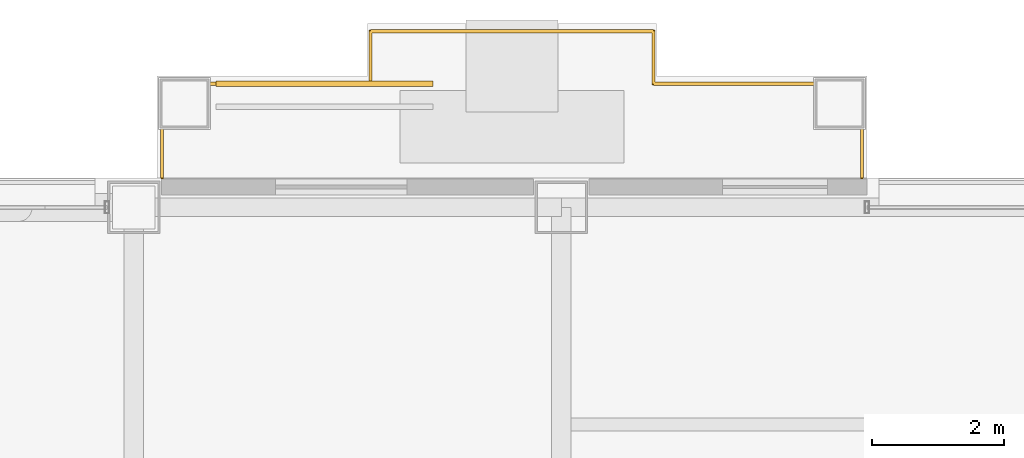
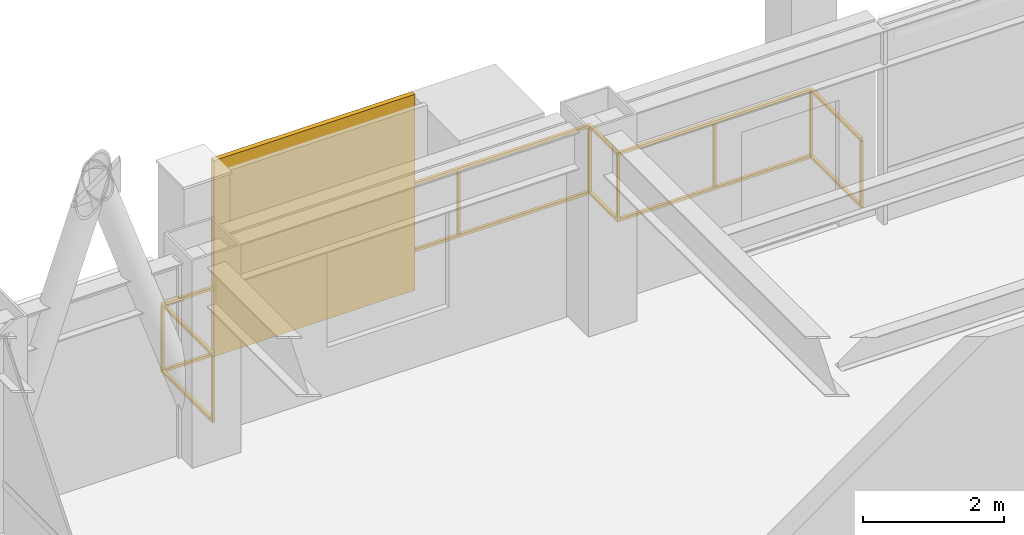
# One storey, part 34 of 35: 1 railing, 1 shading device.
"""IFC4 building model written with IfcOpenShell, lengths in metres."""

from ifc_helpers import new_model, si_unit, direction, frame, origin, origin_2d, place, context, subcontext, project, spatial, rectangle, extrude, material, layer, layer_set, type_object, element, save


model = new_model("IFC4")

# Units and contexts
model_context = context("Model", 3, precision=1e-05, world=origin(), true_north=direction((0.0, 1.0)))
body_context = subcontext(model_context, "Body", "Model", "MODEL_VIEW")
ifc_project = project(units=[si_unit("LENGTHUNIT", "METRE"), si_unit("AREAUNIT", "SQUARE_METRE"), si_unit("VOLUMEUNIT", "CUBIC_METRE"), si_unit("PLANEANGLEUNIT", "RADIAN"), si_unit("MASSUNIT", "GRAM", prefix="KILO")], contexts=[model_context])

# Site, building, storey
site_placement = place(None, origin())
site = spatial("IfcSite", under=ifc_project, at=site_placement, CompositionType="ELEMENT")
building_placement = place(site_placement, origin())
building = spatial("IfcBuilding", under=site, at=building_placement, Name="Brelmoor Portico Tower", CompositionType="ELEMENT")
storey_placement = place(building_placement, frame((0.0, 0.0, 131.39990234375)))
storey = spatial("IfcBuildingStorey", under=building, at=storey_placement, Name="L34", CompositionType="ELEMENT", Elevation=131.39990234375)

# Railing
ifc_material_1 = material(Name="Perforated Pale Champagne Aluminium Fretwork Guard", Category="aluminium")
railing_type = type_object("IfcRailingType", Name="RL-BALUSTRADE-1200", PredefinedType="BALUSTRADE", material=ifc_material_1)
railing_placement = place(storey_placement, frame((-14.1201171875, 20.0, 0.0)))
element("IfcRailing", 1, at=railing_placement, inside=storey, type_object=railing_type, Name="L34 Tree Balcony Fretwork Balustrade N", PredefinedType="BALUSTRADE", context=body_context, shape_type="SweptSolid", body=[
    extrude(rectangle(XDim=0.048095703125, YDim=0.048095703125, at=origin_2d()), frame((0.0, 0.0, 1.17578125), z_axis=(0.0, 1.0, 0.0), x_axis=(-1.0, 0.0, 0.0)), (0.0, 0.0, 1.0), 1.429931640625),
    extrude(rectangle(XDim=0.048095703125, YDim=0.048095703125, at=origin_2d()), frame((0.0, 0.0, 0.02392578125), z_axis=(0.0, 1.0, 0.0), x_axis=(-1.0, 0.0, 0.0)), (0.0, 0.0, 1.0), 1.429931640625),
    extrude(rectangle(XDim=0.048095703125, YDim=0.048095703125, at=origin_2d()), frame((0.0, 1.429931640625, 1.17578125), z_axis=(1.0, 0.0, 0.0), x_axis=(0.0, 1.0, 0.0)), (0.0, 0.0, 1.0), 3.170166015625),
    extrude(rectangle(XDim=0.048095703125, YDim=0.048095703125, at=origin_2d()), frame((0.0, 1.429931640625, 0.02392578125), z_axis=(1.0, 0.0, 0.0), x_axis=(0.0, 1.0, 0.0)), (0.0, 0.0, 1.0), 3.170166015625),
    extrude(rectangle(XDim=0.048095703125, YDim=0.048095703125, at=origin_2d()), frame((3.170166015625, 1.429931640625, 1.17578125), z_axis=(0.0, 1.0, 0.0), x_axis=(-1.0, 0.0, 0.0)), (0.0, 0.0, 1.0), 0.800048828125),
    extrude(rectangle(XDim=0.048095703125, YDim=0.048095703125, at=origin_2d()), frame((3.170166015625, 1.429931640625, 0.02392578125), z_axis=(0.0, 1.0, 0.0), x_axis=(-1.0, 0.0, 0.0)), (0.0, 0.0, 1.0), 0.800048828125),
    extrude(rectangle(XDim=0.048095703125, YDim=0.048095703125, at=origin_2d()), frame((3.170166015625, 2.22998046875, 1.17578125), z_axis=(1.0, 0.0, 0.0), x_axis=(0.0, 1.0, 0.0)), (0.0, 0.0, 1.0), 4.300048828125),
    extrude(rectangle(XDim=0.048095703125, YDim=0.048095703125, at=origin_2d()), frame((3.170166015625, 2.22998046875, 0.02392578125), z_axis=(1.0, 0.0, 0.0), x_axis=(0.0, 1.0, 0.0)), (0.0, 0.0, 1.0), 4.300048828125),
    extrude(rectangle(XDim=0.048095703125, YDim=0.048095703125, at=origin_2d()), frame((7.47021484375, 2.22998046875, 1.17578125), z_axis=(0.0, -1.0, 0.0), x_axis=(1.0, 0.0, 0.0)), (0.0, 0.0, 1.0), 0.800048828125),
    extrude(rectangle(XDim=0.048095703125, YDim=0.048095703125, at=origin_2d()), frame((7.47021484375, 2.22998046875, 0.02392578125), z_axis=(0.0, -1.0, 0.0), x_axis=(1.0, 0.0, 0.0)), (0.0, 0.0, 1.0), 0.800048828125),
    extrude(rectangle(XDim=0.048095703125, YDim=0.048095703125, at=origin_2d()), frame((7.47021484375, 1.429931640625, 1.17578125), z_axis=(1.0, 0.0, 0.0), x_axis=(0.0, 1.0, 0.0)), (0.0, 0.0, 1.0), 3.169921875),
    extrude(rectangle(XDim=0.048095703125, YDim=0.048095703125, at=origin_2d()), frame((7.47021484375, 1.429931640625, 0.02392578125), z_axis=(1.0, 0.0, 0.0), x_axis=(0.0, 1.0, 0.0)), (0.0, 0.0, 1.0), 3.169921875),
    extrude(rectangle(XDim=0.048095703125, YDim=0.048095703125, at=origin_2d()), frame((10.64013671875, 1.429931640625, 1.17578125), z_axis=(0.0, -1.0, 0.0), x_axis=(1.0, 0.0, 0.0)), (0.0, 0.0, 1.0), 1.429931640625),
    extrude(rectangle(XDim=0.048095703125, YDim=0.048095703125, at=origin_2d()), frame((10.64013671875, 1.429931640625, 0.02392578125), z_axis=(0.0, -1.0, 0.0), x_axis=(1.0, 0.0, 0.0)), (0.0, 0.0, 1.0), 1.429931640625),
    extrude(rectangle(XDim=0.0419921875, YDim=0.0419921875, at=origin_2d()), origin(), (0.0, 0.0, 1.0), 1.15185546875),
    extrude(rectangle(XDim=0.0419921875, YDim=0.0419921875, at=origin_2d()), frame((0.0, 1.429931640625, 0.0)), (0.0, 0.0, 1.0), 1.15185546875),
    extrude(rectangle(XDim=0.0419921875, YDim=0.0419921875, at=origin_2d()), frame((1.5849609375, 1.429931640625, 0.0)), (0.0, 0.0, 1.0), 1.15185546875),
    extrude(rectangle(XDim=0.0419921875, YDim=0.0419921875, at=origin_2d()), frame((3.170166015625, 1.429931640625, 0.0)), (0.0, 0.0, 1.0), 1.15185546875),
    extrude(rectangle(XDim=0.0419921875, YDim=0.0419921875, at=origin_2d()), frame((3.170166015625, 2.22998046875, 0.0)), (0.0, 0.0, 1.0), 1.15185546875),
    extrude(rectangle(XDim=0.0419921875, YDim=0.0419921875, at=origin_2d()), frame((5.3203125, 2.22998046875, 0.0)), (0.0, 0.0, 1.0), 1.15185546875),
    extrude(rectangle(XDim=0.0419921875, YDim=0.0419921875, at=origin_2d()), frame((7.47021484375, 2.22998046875, 0.0)), (0.0, 0.0, 1.0), 1.15185546875),
    extrude(rectangle(XDim=0.0419921875, YDim=0.0419921875, at=origin_2d()), frame((7.47021484375, 1.429931640625, 0.0)), (0.0, 0.0, 1.0), 1.15185546875),
    extrude(rectangle(XDim=0.0419921875, YDim=0.0419921875, at=origin_2d()), frame((9.05517578125, 1.429931640625, 0.0)), (0.0, 0.0, 1.0), 1.15185546875),
    extrude(rectangle(XDim=0.0419921875, YDim=0.0419921875, at=origin_2d()), frame((10.64013671875, 1.429931640625, 0.0)), (0.0, 0.0, 1.0), 1.15185546875),
    extrude(rectangle(XDim=0.0419921875, YDim=0.0419921875, at=origin_2d()), frame((10.64013671875, 0.0, 0.0)), (0.0, 0.0, 1.0), 1.15185546875),
])

# Shading device
ifc_material_2 = material(Name="Powder-Coated Aluminium Shuttered Jalousie", Category="aluminium")
ifc_layer = layer(ifc_material_2, 0.080078125)
ifc_layer_set = layer_set([ifc_layer], Name="Powder-Coated Aluminium Shuttered Jalousie")
shading_device_type = type_object("IfcShadingDeviceType", Name="SD-JALOUSIE-LOGGIA", PredefinedType="JALOUSIE", material=ifc_layer_set)
shading_device_placement = place(storey_placement, frame((-11.64990234375, 21.429931640625, 0.000244140625), z_axis=(0.0, 0.0, 1.0), x_axis=(1.0, 0.0, 0.0)))
element("IfcShadingDevice", 2, at=shading_device_placement, inside=storey, type_object=shading_device_type, Name="L34 Loggia Shuttered Jalousie N", PredefinedType="JALOUSIE", context=body_context, shape_type="SweptSolid", body=[
    extrude(rectangle(XDim=3.300048828125, YDim=0.080078125, at=origin_2d()), origin(), (0.0, 0.0, 1.0), 3.39990234375),
])

save(model, "model.ifc")
